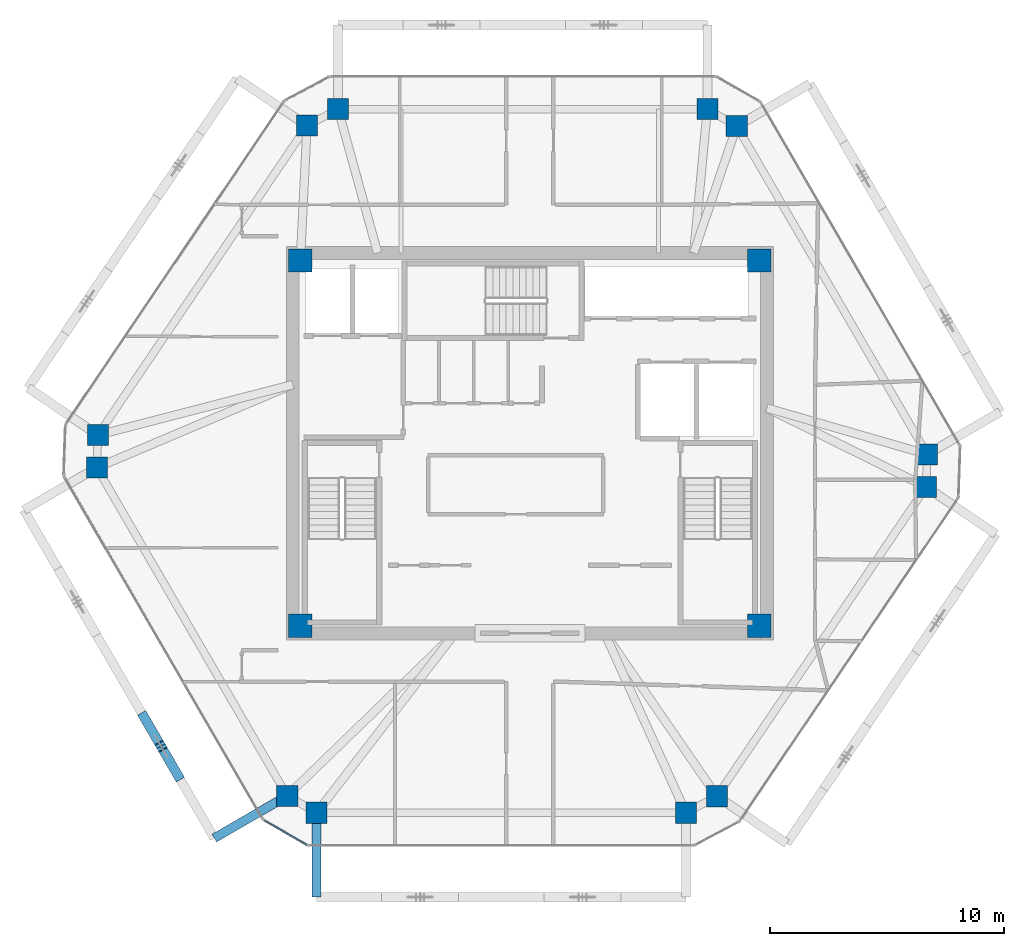
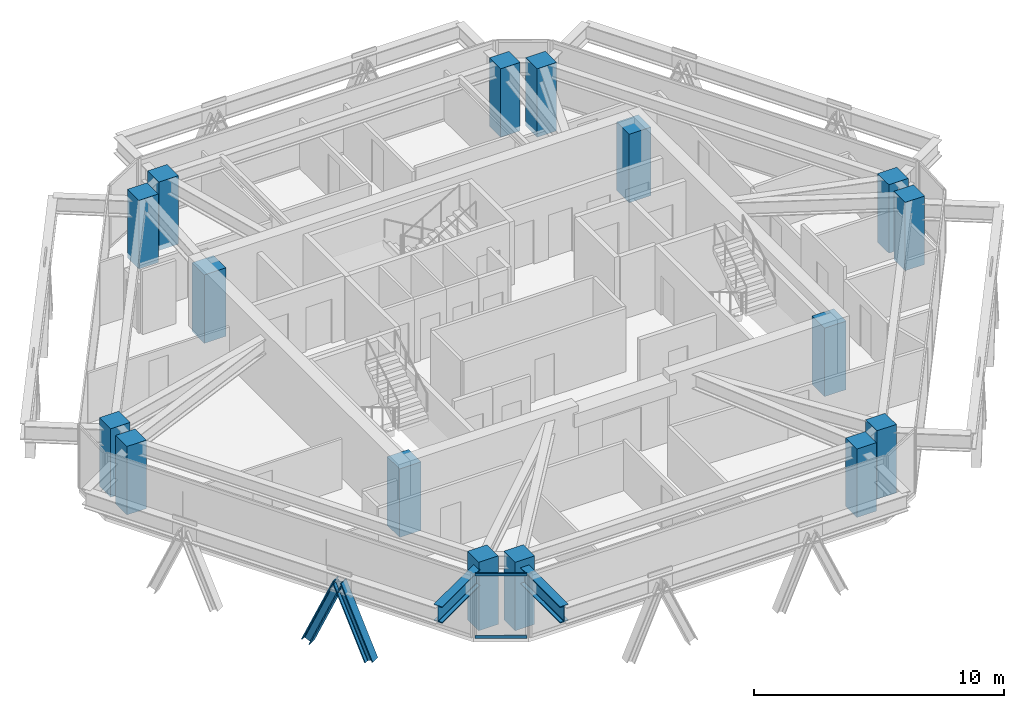
# One storey, part 1 of 14: 16 columns, 4 members, 2 beams, 1 element without a shape of its own.
"""IFC4 building model written with IfcOpenShell, lengths in metres."""

import ifcopenshell
import ifcopenshell.guid

model = None  # the IFC model being written
_history = None  # IfcOwnerHistory: only IFC2X3 demands one
_inside = {}  # id of a spatial element -> (the spatial element, [elements in it])
_under = {}  # id of a project, library or spatial element -> (it, [spatial elements below it])
_declared = {}  # id of a project -> (the project, [libraries it declares])
_typed = {}  # id of a type object -> (the type object, [elements of that type])
_made_of = {}  # id of a material, layer set ... -> (it, [elements and type objects made of it])


def new_model(schema):
    """Start an empty IFC model of exactly this schema.

    Asked for "IFC4X3", IfcOpenShell would pick the latest addendum, in which some entities
    have other attributes; the version numbers below select the first issue.
    IFC2X3 requires an IfcOwnerHistory on every rooted entity: one is made here for all.
    """
    global model, _history
    if schema == "IFC4X3":
        model = ifcopenshell.file(schema_version=(4, 3, 0, 0))
    else:
        model = ifcopenshell.file(schema=schema)
    _inside.clear()
    _under.clear()
    _declared.clear()
    _typed.clear()
    _made_of.clear()
    _history = None
    if model.schema == "IFC2X3":
        org = make("IfcOrganization", Name="unknown")
        user = make(
            "IfcPersonAndOrganization",
            ThePerson=make("IfcPerson", FamilyName="unknown"),
            TheOrganization=org,
        )
        app = make(
            "IfcApplication",
            ApplicationDeveloper=org,
            Version="unknown",
            ApplicationFullName="unknown",
            ApplicationIdentifier="unknown",
        )
        _history = make(
            "IfcOwnerHistory",
            OwningUser=user,
            OwningApplication=app,
            ChangeAction="ADDED",
            CreationDate=0,
        )
    return model


def make(cls, **values):
    """One entity of the class cls with the attributes given. An attribute that is None is left unset."""
    return model.create_entity(
        cls, **{name: value for name, value in values.items() if value is not None}
    )


def rooted(cls, **values):
    """An entity with a GlobalId (a new one), such as an element, a storey or a relation."""
    return make(cls, GlobalId=ifcopenshell.guid.new(), OwnerHistory=_history, **values)


def si_unit(unit_type, name, prefix=None):
    """IfcSIUnit, for example si_unit("LENGTHUNIT", "METRE", prefix="MILLI")."""
    return make("IfcSIUnit", UnitType=unit_type, Prefix=prefix, Name=name)


def assignment(units):
    """IfcUnitAssignment: the units of a project."""
    return None if units is None else make("IfcUnitAssignment", Units=units)


def point(xyz):
    """IfcCartesianPoint."""
    return None if xyz is None else make("IfcCartesianPoint", Coordinates=xyz)


def direction(xyz):
    """IfcDirection."""
    return None if xyz is None else make("IfcDirection", DirectionRatios=xyz)


def frame(location, z_axis=None, x_axis=None):
    """IfcAxis2Placement3D, a coordinate frame: its origin and axes. An axis left out is left unset."""
    return make(
        "IfcAxis2Placement3D",
        Location=point(location),
        Axis=direction(z_axis),
        RefDirection=direction(x_axis),
    )


def frame_2d(location, x_axis=None):
    """IfcAxis2Placement2D, a coordinate frame in the plane: its origin and x axis."""
    return make(
        "IfcAxis2Placement2D", Location=point(location), RefDirection=direction(x_axis)
    )


def origin():
    """The frame at (0, 0, 0) with its axes left unset."""
    return frame((0.0, 0.0, 0.0))


def origin_2d():
    """The frame at (0, 0) in the plane with its x axis left unset."""
    return frame_2d((0.0, 0.0))


def place(relative_to, where):
    """IfcLocalPlacement: puts the frame where relative to a parent placement (None: the world)."""
    return make(
        "IfcLocalPlacement", PlacementRelTo=relative_to, RelativePlacement=where
    )


def context(
    kind, dimensions, precision=None, world=None, true_north=None, identifier=None
):
    """IfcGeometricRepresentationContext, for example the 3D "Model" context."""
    return make(
        "IfcGeometricRepresentationContext",
        ContextIdentifier=identifier,
        ContextType=kind,
        CoordinateSpaceDimension=dimensions,
        Precision=precision,
        WorldCoordinateSystem=world,
        TrueNorth=true_north,
    )


def subcontext(parent, identifier, kind, view, scale=None):
    """IfcGeometricRepresentationSubContext, for example "Body" below "Model"."""
    return make(
        "IfcGeometricRepresentationSubContext",
        ContextIdentifier=identifier,
        ContextType=kind,
        ParentContext=parent,
        TargetScale=scale,
        TargetView=view,
    )


def project(units=None, contexts=None):
    """IfcProject with its units and contexts."""
    return rooted(
        "IfcProject",
        Name="project",
        RepresentationContexts=contexts,
        UnitsInContext=assignment(units),
    )


def spatial(cls, under=None, at=None, **own):
    """A site, building, storey or space (cls), placed at a placement, below another one or the project."""
    s = rooted(cls, ObjectPlacement=at, **own)
    if under is not None:
        _under.setdefault(under.id(), (under, []))[1].append(s)
    return s


def profile(cls, at=None, kind="AREA", **sizes):
    """A parametric profile (cls). Its sizes go by their IFC names, for example OverallWidth=200.0."""
    return make(cls, ProfileType=kind, Position=at, **sizes)


def rectangle(**sizes):
    """IfcRectangleProfileDef."""
    return profile("IfcRectangleProfileDef", **sizes)


def i_section(**sizes):
    """IfcIShapeProfileDef."""
    return profile("IfcIShapeProfileDef", **sizes)


def extrude(swept, where, along, depth):
    """IfcExtrudedAreaSolid: the profile swept, set in the frame where, extruded along a direction by depth."""
    return make(
        "IfcExtrudedAreaSolid",
        SweptArea=swept,
        Position=where,
        ExtrudedDirection=direction(along),
        Depth=depth,
    )


def shape(context_of_items, identifier, shape_type, items):
    """IfcShapeRepresentation: the items that make up one representation, for example the "Body"."""
    return make(
        "IfcShapeRepresentation",
        ContextOfItems=context_of_items,
        RepresentationIdentifier=identifier,
        RepresentationType=shape_type,
        Items=items,
    )


def source(mapping_origin, context_of_items, identifier, shape_type, items):
    """IfcRepresentationMap: a shape defined once, which mapped items show again and again."""
    return make(
        "IfcRepresentationMap",
        MappingOrigin=mapping_origin,
        MappedRepresentation=shape(context_of_items, identifier, shape_type, items),
    )


def transform(
    local_origin,
    x_axis=None,
    y_axis=None,
    z_axis=None,
    scale=None,
    scale2=None,
    scale3=None,
    uniform=True,
):
    """IfcCartesianTransformationOperator3D, or its non-uniform kind. x_axis, y_axis, z_axis: its Axis1, 2, 3."""
    if uniform:
        return make(
            "IfcCartesianTransformationOperator3D",
            Axis1=direction(x_axis),
            Axis2=direction(y_axis),
            LocalOrigin=point(local_origin),
            Scale=scale,
            Axis3=direction(z_axis),
        )
    return make(
        "IfcCartesianTransformationOperator3DnonUniform",
        Axis1=direction(x_axis),
        Axis2=direction(y_axis),
        LocalOrigin=point(local_origin),
        Scale=scale,
        Axis3=direction(z_axis),
        Scale2=scale2,
        Scale3=scale3,
    )


def mapped(mapping_source, mapping_target):
    """IfcMappedItem: shows the shape of a source again, moved by a transform."""
    return make(
        "IfcMappedItem", MappingSource=mapping_source, MappingTarget=mapping_target
    )


def material(Name=None, Category=None):
    """IfcMaterial."""
    return make("IfcMaterial", Name=Name, Category=Category)


def layer(
    of_material, thickness, ventilated=None, Name=None, Category=None, Priority=None
):
    """IfcMaterialLayer: one layer of a wall or slab, of a material (None: an air gap)."""
    return make(
        "IfcMaterialLayer",
        Material=of_material,
        LayerThickness=thickness,
        IsVentilated=ventilated,
        Name=Name,
        Category=Category,
        Priority=Priority,
    )


def layer_set(layers, Name=None):
    """IfcMaterialLayerSet."""
    return make("IfcMaterialLayerSet", MaterialLayers=layers, LayerSetName=Name)


def material_profile(
    of_material, cross_section, Name=None, Category=None, Priority=None
):
    """IfcMaterialProfile: a cross section and its material."""
    return make(
        "IfcMaterialProfile",
        Name=Name,
        Material=of_material,
        Profile=cross_section,
        Priority=Priority,
        Category=Category,
    )


def profile_set(profiles, Name=None, composite=None):
    """IfcMaterialProfileSet."""
    return make(
        "IfcMaterialProfileSet",
        Name=Name,
        MaterialProfiles=profiles,
        CompositeProfile=composite,
    )


def made_of(thing, what):
    """Note that an element or type object is made of a material, layer set ...; save() writes the relation."""
    if what is not None:
        _made_of.setdefault(what.id(), (what, []))[1].append(thing)
    return thing


def type_object(cls, material=None, **own):
    """A type object (cls), such as IfcWallType, which elements share."""
    return made_of(rooted(cls, **own), material)


def type_shapes(of_type, sources):
    """Give a type object the sources (RepresentationMaps) that its elements show as mapped items."""
    of_type.RepresentationMaps = sources


def element(
    cls,
    number,
    at=None,
    inside=None,
    cuts=None,
    type_object=None,
    material=None,
    context=None,
    identifier="Body",
    shape_type=None,
    held_by="IfcProductDefinitionShape",
    body=None,
    shapes=None,
    **own,
):
    """One element of the class cls, such as IfcWall. Its Tag is "e" and its number.

    at: its placement. inside: the storey or other place that contains it. cuts: it is an
    opening in that element (IfcRelVoidsElement). A single representation is given by context,
    identifier, shape_type and body (its items); several are given by shapes. held_by: the class
    of the entity that holds the representations. save() writes the other relations.
    """
    e = rooted(cls, Tag="e%d" % number, ObjectPlacement=at, **own)
    if body is not None:
        shapes = [shape(context, identifier, shape_type, body)]
    if shapes is not None:
        e.Representation = make(held_by, Representations=shapes)
    if inside is not None:
        _inside.setdefault(inside.id(), (inside, []))[1].append(e)
    if cuts is not None:
        rooted(
            "IfcRelVoidsElement", RelatingBuildingElement=cuts, RelatedOpeningElement=e
        )
    if type_object is not None:
        _typed.setdefault(type_object.id(), (type_object, []))[1].append(e)
    return made_of(e, material)


def aggregate(whole, parts):
    """IfcRelAggregates: a whole, such as a stair, and the parts it consists of."""
    return rooted("IfcRelAggregates", RelatingObject=whole, RelatedObjects=parts)


def save(model, path):
    """Write the relations noted so far, then the file.

    IfcRelAggregates (storeys below a building ...), IfcRelContainedInSpatialStructure (elements
    in a storey), IfcRelDefinesByType, IfcRelAssociatesMaterial and IfcRelDeclares: one each for
    every whole, place, type object, material and project.
    """
    for whole, parts in _under.values():
        aggregate(whole, parts)
    for where, things in _inside.values():
        rooted(
            "IfcRelContainedInSpatialStructure",
            RelatedElements=things,
            RelatingStructure=where,
        )
    for kind, things in _typed.values():
        rooted("IfcRelDefinesByType", RelatedObjects=things, RelatingType=kind)
    for what, things in _made_of.values():
        rooted("IfcRelAssociatesMaterial", RelatedObjects=things, RelatingMaterial=what)
    for by, libraries in _declared.values():
        rooted("IfcRelDeclares", RelatingContext=by, RelatedDefinitions=libraries)
    model.write(path)


model = new_model("IFC4")

# Units and contexts
model_context = context("Model", 3, precision=1e-05, world=origin(), true_north=direction((0.0, 1.0)))
body_context = subcontext(model_context, "Body", "Model", "MODEL_VIEW")
ifc_project = project(units=[si_unit("LENGTHUNIT", "METRE"), si_unit("AREAUNIT", "SQUARE_METRE"), si_unit("VOLUMEUNIT", "CUBIC_METRE"), si_unit("PLANEANGLEUNIT", "RADIAN"), si_unit("MASSUNIT", "GRAM", prefix="KILO")], contexts=[model_context])

# Site, building, storey
site_placement = place(None, origin())
site = spatial("IfcSite", under=ifc_project, at=site_placement, CompositionType="ELEMENT")
building_placement = place(site_placement, origin())
building = spatial("IfcBuilding", under=site, at=building_placement, Name="Durnholm Broadcast Tower", CompositionType="ELEMENT")
storey_placement = place(building_placement, frame((0.0, 0.0, 261.5)))
storey = spatial("IfcBuildingStorey", under=building, at=storey_placement, Name="L73", CompositionType="ELEMENT", Elevation=261.5)

# Columns
ifc_material_1 = material(Name="Concrete C70/85", Category="concrete")
ifc_material_profile_1 = material_profile(ifc_material_1, rectangle(XDim=1.0, YDim=1.0, at=origin_2d()), Name="RC1000X1000")
ifc_profile_set_1 = profile_set([ifc_material_profile_1], Name="Concrete C70/85")
column_type_1 = type_object("IfcColumnType", Name="COL-CC-1000", PredefinedType="COLUMN", material=ifc_profile_set_1)
shared_shape_1 = source(origin(), body_context, "Body", "SweptSolid", [
    extrude(rectangle(XDim=1.0, YDim=1.0, at=origin_2d()), origin(), (0.0, 0.0, 1.0), 3.340087890625),
])
type_shapes(column_type_1, [shared_shape_1])
for number, where, z_axis, x_axis, name in (
    (1, (-9.800048828125, -7.800048828125, -0.239990234375), (0.0, 0.0, 1.0), (1.0, 0.0, 0.0), "L73 core corner column 1"),
    (2, (9.800048828125, -7.800048828125, -0.239990234375), (0.0, 0.0, 1.0), (1.0, 0.0, 0.0), "L73 core corner column 2"),
    (3, (9.800048828125, 7.800048828125, -0.239990234375), (0.0, 0.0, 1.0), (1.0, 0.0, 0.0), "L73 core corner column 3"),
    (4, (-9.800048828125, 7.800048828125, -0.239990234375), (0.0, 0.0, 1.0), (1.0, 0.0, 0.0), "L73 core corner column 4"),
):
    element("IfcColumn", number, at=place(storey_placement, frame(where, z_axis=z_axis, x_axis=x_axis)), inside=storey, type_object=column_type_1, Name=name, PredefinedType="COLUMN", context=body_context, shape_type="MappedRepresentation", body=[
        mapped(shared_shape_1, transform((0.0, 0.0, 0.0), x_axis=(1.0, 0.0, 0.0), y_axis=(0.0, 1.0, 0.0), z_axis=(0.0, 0.0, 1.0), scale=1.0)),
    ])
ifc_material_profile_2 = material_profile(ifc_material_1, rectangle(XDim=0.89990234375, YDim=0.89990234375, at=origin_2d()), Name="RC900X900")
ifc_profile_set_2 = profile_set([ifc_material_profile_2], Name="Concrete C70/85")
column_type_2 = type_object("IfcColumnType", Name="COL-CC-900", PredefinedType="COLUMN", material=ifc_profile_set_2)
shared_shape_2 = source(origin(), body_context, "Body", "SweptSolid", [
    extrude(rectangle(XDim=0.89990234375, YDim=0.89990234375, at=origin_2d()), origin(), (0.0, 0.0, 1.0), 3.340087890625),
])
type_shapes(column_type_2, [shared_shape_2])
for number, where, z_axis, x_axis, name in (
    (5, (-10.361328125, -15.061767578125, -0.239990234375), (0.0, 0.0, 1.0), (1.0, 0.0, 0.0), "L73 perimeter hexagonal tube column 01"),
    (6, (-18.494384765625, -1.0478515625, -0.239990234375), (0.0, 0.0, 1.0), (1.0, 0.0, 0.0), "L73 perimeter hexagonal tube column 02"),
    (7, (-18.4462890625, 0.345947265625, -0.239990234375), (0.0, 0.0, 1.0), (1.0, 0.0, 0.0), "L73 perimeter hexagonal tube column 03"),
    (8, (-9.514892578125, 13.557373046875, -0.239990234375), (0.0, 0.0, 1.0), (1.0, 0.0, 0.0), "L73 perimeter hexagonal tube column 04"),
    (9, (-8.187744140625, 14.261962890625, -0.239990234375), (0.0, 0.0, 1.0), (1.0, 0.0, 0.0), "L73 perimeter hexagonal tube column 05"),
    (10, (7.57958984375, 14.261962890625, -0.239990234375), (0.0, 0.0, 1.0), (1.0, 0.0, 0.0), "L73 perimeter hexagonal tube column 06"),
    (11, (8.83740234375, 13.53759765625, -0.239990234375), (0.0, 0.0, 1.0), (1.0, 0.0, 0.0), "L73 perimeter hexagonal tube column 07"),
    (12, (16.97021484375, -0.47607421875, -0.239990234375), (0.0, 0.0, 1.0), (1.0, 0.0, 0.0), "L73 perimeter hexagonal tube column 08"),
    (13, (16.92236328125, -1.869873046875, -0.239990234375), (0.0, 0.0, 1.0), (1.0, 0.0, 0.0), "L73 perimeter hexagonal tube column 09"),
    (14, (7.990966796875, -15.081298828125, -0.239990234375), (0.0, 0.0, 1.0), (1.0, 0.0, 0.0), "L73 perimeter hexagonal tube column 10"),
    (15, (6.663818359375, -15.785888671875, -0.239990234375), (0.0, 0.0, 1.0), (1.0, 0.0, 0.0), "L73 perimeter hexagonal tube column 11"),
    (16, (-9.103759765625, -15.785888671875, -0.239990234375), (0.0, 0.0, 1.0), (1.0, 0.0, 0.0), "L73 perimeter hexagonal tube column 12"),
):
    element("IfcColumn", number, at=place(storey_placement, frame(where, z_axis=z_axis, x_axis=x_axis)), inside=storey, type_object=column_type_2, Name=name, PredefinedType="COLUMN", context=body_context, shape_type="MappedRepresentation", body=[
        mapped(shared_shape_2, transform((0.0, 0.0, 0.0), x_axis=(1.0, 0.0, 0.0), y_axis=(0.0, 1.0, 0.0), z_axis=(0.0, 0.0, 1.0), scale=1.0)),
    ])

# Beams
ifc_material_2 = material(Name="Steel ASTM A992 Grade 50", Category="steel")
ifc_material_profile_3 = material_profile(ifc_material_2, i_section(OverallWidth=0.385009765625, OverallDepth=0.802978515625, WebThickness=0.023681640625, FlangeThickness=0.0419921875, FilletRadius=0.032958984375, at=origin_2d()), Name="W30X261")
ifc_profile_set_3 = profile_set([ifc_material_profile_3], Name="Steel ASTM A992 Grade 50")
beam_type = type_object("IfcBeamType", Name="BM-EXO-TIE", PredefinedType="USERDEFINED", material=ifc_profile_set_3)
shared_shape_3 = source(origin(), body_context, "Body", "SweptSolid", [
    extrude(i_section(OverallWidth=0.385009765625, OverallDepth=0.802978515625, WebThickness=0.023681640625, FlangeThickness=0.0419921875, FilletRadius=0.032958984375, at=origin_2d()), origin(), (0.0, 0.0, 1.0), 3.4560546875),
])
type_shapes(beam_type, [shared_shape_3])
for number, where, z_axis, x_axis, name in (
    (17, (-9.103759765625, -15.929931640625, 2.348388671875), (0.0, -1.0, 0.0), (1.0, 0.0, 0.0), "L73 exoskeleton stand-off tie bracket F1.1"),
    (18, (-10.48583984375, -15.134033203125, 2.348388671875), (-0.864924479231, -0.501902027518, 0.0), (0.501902027518, -0.864924479231, 0.0), "L73 exoskeleton stand-off tie bracket F6.2"),
):
    element("IfcBeam", number, at=place(storey_placement, frame(where, z_axis=z_axis, x_axis=x_axis)), inside=storey, type_object=beam_type, Name=name, ObjectType="GIRDER", PredefinedType="USERDEFINED", context=body_context, shape_type="MappedRepresentation", body=[
        mapped(shared_shape_3, transform((0.0, 0.0, 0.0), x_axis=(1.0, 0.0, 0.0), y_axis=(0.0, 1.0, 0.0), z_axis=(0.0, 0.0, 1.0), scale=1.0)),
    ])

# Members
ifc_material_3 = material(Name="Steel ASTM A913 Grade 65", Category="steel")
ifc_material_profile_4 = material_profile(ifc_material_3, i_section(OverallWidth=0.40625, OverallDepth=0.416015625, WebThickness=0.02978515625, FlangeThickness=0.048095703125, FilletRadius=0.030517578125, at=origin_2d()), Name="W14X257")
ifc_profile_set_4 = profile_set([ifc_material_profile_4], Name="Steel ASTM A913 Grade 65")
member_type_1 = type_object("IfcMemberType", Name="STL-DG-W14X257", PredefinedType="BRACE", material=ifc_profile_set_4)
shared_shape_4 = source(origin(), body_context, "Body", "SweptSolid", [
    extrude(i_section(OverallWidth=0.40625, OverallDepth=0.416015625, WebThickness=0.02978515625, FlangeThickness=0.048095703125, FilletRadius=0.030517578125, at=origin_2d()), origin(), (0.0, 0.0, 1.0), 3.644287109375),
])
type_shapes(member_type_1, [shared_shape_4])
for number, where, z_axis, x_axis, name in (
    (19, (-16.484130859375, -11.68359375, -0.991455078125), (0.200842922221, -0.346082233553, 0.916454695123), (0.864906184135, 0.501933554014, 0.0), "L73 stand-off diagrid brace F6.D2.1"),
    (20, (-15.020263671875, -14.2060546875, -0.991455078125), (-0.200842922221, 0.346082233553, 0.916454695123), (-0.864906184135, -0.501933554014, 0.0), "L73 stand-off diagrid brace F6.D2.2"),
):
    element("IfcMember", number, at=place(storey_placement, frame(where, z_axis=z_axis, x_axis=x_axis)), inside=storey, type_object=member_type_1, Name=name, PredefinedType="BRACE", context=body_context, shape_type="MappedRepresentation", body=[
        mapped(shared_shape_4, transform((0.0, 0.0, 0.0), x_axis=(1.0, 0.0, 0.0), y_axis=(0.0, 1.0, 0.0), z_axis=(0.0, 0.0, 1.0), scale=1.0)),
    ])

# Curtain wall, members
ifc_material_4 = material(Name="Aluminium and Solar Control IGU", Category="aluminium")
ifc_layer = layer(ifc_material_4, 0.1650390625)
ifc_layer_set = layer_set([ifc_layer], Name="Aluminium and Solar Control IGU")
curtain_wall_type = type_object("IfcCurtainWallType", Name="CW-SYS-5", PredefinedType="NOTDEFINED", material=ifc_layer_set)
curtain_wall_placement = place(storey_placement, origin())
curtain_wall = element("IfcCurtainWall", 21, at=curtain_wall_placement, inside=storey, type_object=curtain_wall_type, Name="L73 curtain wall CW-CORNER CW-L73-CRN-11", PredefinedType="NOTDEFINED")
ifc_material_5 = material(Name="Aluminium 6063-T6", Category="aluminium")
ifc_material_profile_5 = material_profile(ifc_material_5, rectangle(XDim=0.06494140625, YDim=0.1298828125, at=origin_2d()), Name="CWT65X130")
ifc_profile_set_5 = profile_set([ifc_material_profile_5], Name="Aluminium 6063-T6")
member_type_2 = type_object("IfcMemberType", Name="CW-SYS-5-TRN", PredefinedType="USERDEFINED", material=ifc_profile_set_5)
shared_shape_5 = source(origin(), body_context, "Body", "SweptSolid", [
    extrude(rectangle(XDim=0.06494140625, YDim=0.1298828125, at=origin_2d()), origin(), (0.0, 0.0, 1.0), 2.06982421875),
])
type_shapes(member_type_2, [shared_shape_5])
member_1_placement = place(storey_placement, frame((-9.534423828125, -17.153564453125, 0.032470703125), z_axis=(-0.866576086718, 0.499044973854, 0.0), x_axis=(-0.499044973854, -0.866576086718, 0.0)))
member_1 = element("IfcMember", 22, at=member_1_placement, type_object=member_type_2, Name="CW-CORNER transom 1.1", ObjectType="TRANSOM", PredefinedType="USERDEFINED", context=body_context, shape_type="MappedRepresentation", body=[
    mapped(shared_shape_5, transform((0.0, 0.0, 0.0), x_axis=(1.0, 0.0, 0.0), y_axis=(0.0, 1.0, 0.0), z_axis=(0.0, 0.0, 1.0), scale=1.0)),
])
member_2_placement = place(storey_placement, frame((-9.534423828125, -17.153564453125, 3.0673828125), z_axis=(-0.866576086718, 0.499044973854, 0.0), x_axis=(-0.499044973854, -0.866576086718, 0.0)))
member_2 = element("IfcMember", 23, at=member_2_placement, type_object=member_type_2, Name="CW-CORNER transom 1.2", ObjectType="TRANSOM", PredefinedType="USERDEFINED", context=body_context, shape_type="MappedRepresentation", body=[
    mapped(shared_shape_5, transform((0.0, 0.0, 0.0), x_axis=(1.0, 0.0, 0.0), y_axis=(0.0, 1.0, 0.0), z_axis=(0.0, 0.0, 1.0), scale=1.0)),
])
aggregate(curtain_wall, [member_1, member_2])

save(model, "model.ifc")
